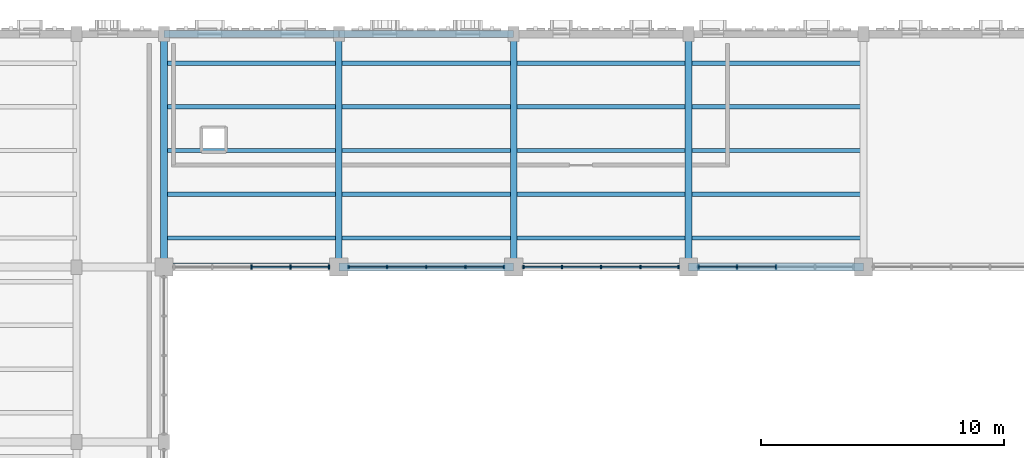
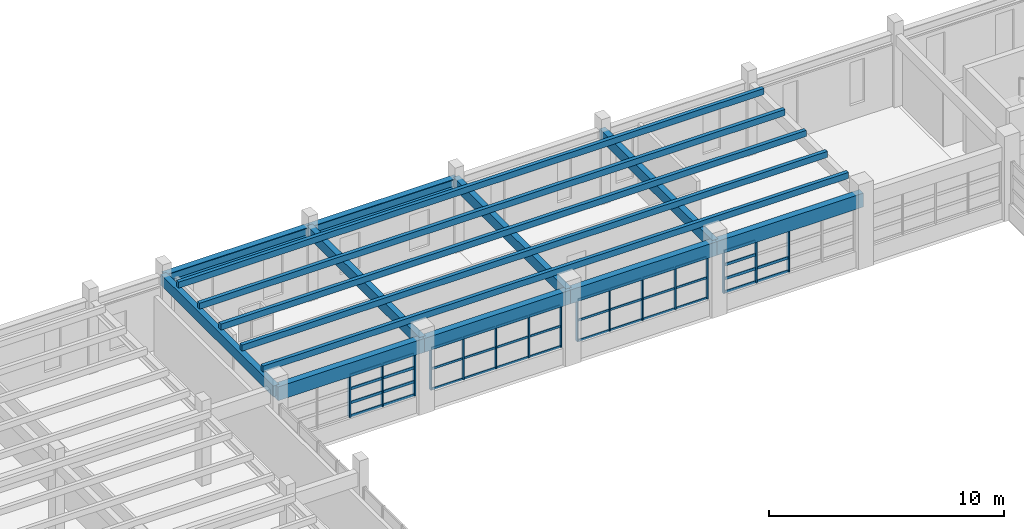
# One storey, part 17 of 69: 59 members, 10 beams, 4 elements without a shape of their own.
"""IFC4 building model written with IfcOpenShell, lengths in metres."""

from ifc_helpers import new_model, si_unit, direction, frame, origin, origin_2d, place, context, subcontext, project, spatial, rectangle, i_section, extrude, material, material_profile, profile_set, type_object, element, aggregate, save


model = new_model("IFC4")

# Units and contexts
model_context = context("Model", 3, precision=1e-05, world=origin(), true_north=direction((0.0, 1.0)))
body_context = subcontext(model_context, "Body", "Model", "MODEL_VIEW")
ifc_project = project(units=[si_unit("LENGTHUNIT", "METRE"), si_unit("AREAUNIT", "SQUARE_METRE"), si_unit("VOLUMEUNIT", "CUBIC_METRE"), si_unit("PLANEANGLEUNIT", "RADIAN"), si_unit("MASSUNIT", "GRAM", prefix="KILO")], contexts=[model_context])

# Site, building, storey
site_placement = place(None, origin())
site = spatial("IfcSite", under=ifc_project, at=site_placement, CompositionType="ELEMENT")
building_placement = place(site_placement, origin())
building = spatial("IfcBuilding", under=site, at=building_placement, Name="Nzembalo Square Collegiate School", CompositionType="ELEMENT")
storey_placement = place(building_placement, frame((0.0, 0.0, 5.10009765625)))
storey = spatial("IfcBuildingStorey", under=building, at=storey_placement, Name="L01", CompositionType="ELEMENT", Elevation=5.10009765625)

# Beams
ifc_material_1 = material(Name="Glulam GL32h", Category="wood")
ifc_material_profile_1 = material_profile(ifc_material_1, rectangle(XDim=0.320068359375, YDim=0.719970703125, at=origin_2d()), Name="GL32h 320x720")
ifc_profile_set_1 = profile_set([ifc_material_profile_1], Name="Glulam GL32h")
beam_type_1 = type_object("IfcBeamType", Name="B03", PredefinedType="BEAM", material=ifc_profile_set_1)
for number, where, z_axis, x_axis, name in (
    (1, (40.800048828125, 104.39990234375, 3.389892578125), (1.0, 0.0, 0.0), (0.0, 1.0, 0.0), "Beam B03 L01"),
    (2, (48.0, 104.39990234375, 3.389892578125), (1.0, 0.0, 0.0), (0.0, 1.0, 0.0), "Beam B03 L01"),
    (3, (55.199951171875, 104.39990234375, 3.389892578125), (1.0, 0.0, 0.0), (0.0, 1.0, 0.0), "Beam B03 L01"),
):
    element("IfcBeam", number, at=place(storey_placement, frame(where, z_axis=z_axis, x_axis=x_axis)), inside=storey, type_object=beam_type_1, Name=name, PredefinedType="BEAM", context=body_context, shape_type="SweptSolid", body=[
        extrude(rectangle(XDim=0.320068359375, YDim=0.719970703125, at=origin_2d()), origin(), (0.0, 0.0, 1.0), 7.199951171875),
    ])
beam_placement = place(storey_placement, frame((62.39990234375, 104.39990234375, 3.389892578125), z_axis=(1.0, 0.0, 0.0), x_axis=(0.0, 1.0, 0.0)))
element("IfcBeam", 4, at=beam_placement, inside=storey, type_object=beam_type_1, Name="Beam B03 L01", PredefinedType="BEAM", context=body_context, shape_type="SweptSolid", body=[
    extrude(rectangle(XDim=0.320068359375, YDim=0.719970703125, at=origin_2d()), origin(), (0.0, 0.0, 1.0), 7.2001953125),
])
ifc_material_2 = material(Name="Glulam GL28h", Category="wood")
ifc_material_profile_2 = material_profile(ifc_material_2, rectangle(XDim=0.280029296875, YDim=0.56005859375, at=origin_2d()), Name="GL28h 280x560")
ifc_profile_set_2 = profile_set([ifc_material_profile_2], Name="Glulam GL28h")
beam_type_2 = type_object("IfcBeamType", Name="B05", PredefinedType="BEAM", material=ifc_profile_set_2)
for number, where, z_axis, x_axis, name in (
    (5, (40.800048828125, 104.39990234375, 3.469970703125), (0.0, 1.0, 0.0), (-1.0, 0.0, 0.0), "Beam B05 L01"),
    (6, (48.0, 104.39990234375, 3.469970703125), (0.0, 1.0, 0.0), (-1.0, 0.0, 0.0), "Beam B05 L01"),
    (7, (55.199951171875, 104.39990234375, 3.469970703125), (0.0, 1.0, 0.0), (-1.0, 0.0, 0.0), "Beam B05 L01"),
    (8, (62.39990234375, 104.39990234375, 3.469970703125), (0.0, 1.0, 0.0), (-1.0, 0.0, 0.0), "Beam B05 L01"),
):
    element("IfcBeam", number, at=place(storey_placement, frame(where, z_axis=z_axis, x_axis=x_axis)), inside=storey, type_object=beam_type_2, Name=name, PredefinedType="BEAM", context=body_context, shape_type="SweptSolid", body=[
        extrude(rectangle(XDim=0.280029296875, YDim=0.56005859375, at=origin_2d()), origin(), (0.0, 0.0, 1.0), 9.60009765625),
    ])
ifc_material_3 = material(Name="Steel S355", Category="steel")
ifc_material_profile_3 = material_profile(ifc_material_3, i_section(OverallWidth=0.300048828125, OverallDepth=0.5, WebThickness=0.014404296875, FlangeThickness=0.028076171875, at=origin_2d()), Name="HEB 500")
ifc_profile_set_3 = profile_set([ifc_material_profile_3], Name="Steel S355")
beam_type_3 = type_object("IfcBeamType", Name="B07", PredefinedType="BEAM", material=ifc_profile_set_3)
for number, where, z_axis, x_axis, name in (
    (9, (40.800048828125, 114.0, 3.5), (1.0, 0.0, 0.0), (0.0, 1.0, 0.0), "Beam B07 L01"),
    (10, (48.0, 114.0, 3.5), (1.0, 0.0, 0.0), (0.0, 1.0, 0.0), "Beam B07 L01"),
):
    element("IfcBeam", number, at=place(storey_placement, frame(where, z_axis=z_axis, x_axis=x_axis)), inside=storey, type_object=beam_type_3, Name=name, PredefinedType="BEAM", context=body_context, shape_type="SweptSolid", body=[
        extrude(i_section(OverallWidth=0.300048828125, OverallDepth=0.5, WebThickness=0.014404296875, FlangeThickness=0.028076171875, at=origin_2d()), origin(), (0.0, 0.0, 1.0), 7.199951171875),
    ])

# Curtain wall, members
ifc_material_4 = material(Name="Aluminium 6060-T66", Category="aluminium")
curtain_wall_type_1 = type_object("IfcCurtainWallType", Name="CW-06", PredefinedType="USERDEFINED", material=ifc_material_4)
curtain_wall_1_placement = place(storey_placement, origin())
curtain_wall_1 = element("IfcCurtainWall", 11, at=curtain_wall_1_placement, inside=storey, type_object=curtain_wall_type_1, Name="Curtain wall CW-06 cw:L01:085", ObjectType="LANCET", PredefinedType="USERDEFINED")
ifc_material_5 = material(Name="Aluminium 6060-T66", Category="aluminium")
ifc_material_profile_4 = material_profile(ifc_material_5, rectangle(XDim=0.06005859375, YDim=0.179931640625, at=origin_2d()), Name="ALU M60x180")
ifc_profile_set_4 = profile_set([ifc_material_profile_4], Name="Aluminium 6060-T66")
member_type_1 = type_object("IfcMemberType", Name="ML01", PredefinedType="MULLION", material=ifc_profile_set_4)
member_1_placement = place(storey_placement, frame((44.39990234375, 104.39990234375, 0.849853515625), z_axis=(0.0, 0.0, 1.0), x_axis=(1.0, 0.0, 0.0)))
member_1 = element("IfcMember", 12, at=member_1_placement, type_object=member_type_1, Name="ML01 mullion 3", PredefinedType="MULLION", context=body_context, shape_type="SweptSolid", body=[
    extrude(rectangle(XDim=0.06005859375, YDim=0.179931640625, at=origin_2d()), origin(), (0.0, 0.0, 1.0), 2.174072265625),
])
member_2_placement = place(storey_placement, frame((46.011474609375, 104.39990234375, 0.849853515625), z_axis=(0.0, 0.0, 1.0), x_axis=(1.0, 0.0, 0.0)))
member_2 = element("IfcMember", 13, at=member_2_placement, type_object=member_type_1, Name="ML01 mullion 4", PredefinedType="MULLION", context=body_context, shape_type="SweptSolid", body=[
    extrude(rectangle(XDim=0.06005859375, YDim=0.179931640625, at=origin_2d()), origin(), (0.0, 0.0, 1.0), 2.174072265625),
])
member_3_placement = place(storey_placement, frame((47.593017578125, 104.39990234375, 0.849853515625), z_axis=(0.0, 0.0, 1.0), x_axis=(1.0, 0.0, 0.0)))
member_3 = element("IfcMember", 14, at=member_3_placement, type_object=member_type_1, Name="ML01 mullion 5", PredefinedType="MULLION", context=body_context, shape_type="SweptSolid", body=[
    extrude(rectangle(XDim=0.06005859375, YDim=0.179931640625, at=origin_2d()), origin(), (0.0, 0.0, 1.0), 2.174072265625),
])

ifc_material_6 = material(Name="Aluminium 6060-T66", Category="aluminium")
curtain_wall_type_2 = type_object("IfcCurtainWallType", Name="CW-01", PredefinedType="USERDEFINED", material=ifc_material_6)
curtain_wall_2_placement = place(storey_placement, origin())
curtain_wall_2 = element("IfcCurtainWall", 15, at=curtain_wall_2_placement, inside=storey, type_object=curtain_wall_type_2, Name="Curtain wall CW-01 cw:L01:088", ObjectType="UNITISED", PredefinedType="USERDEFINED")
member_4_placement = place(storey_placement, frame((62.806884765625, 104.39990234375, 0.849853515625), z_axis=(0.0, 0.0, 1.0), x_axis=(1.0, 0.0, 0.0)))
member_4 = element("IfcMember", 16, at=member_4_placement, type_object=member_type_1, Name="ML01 mullion 1", PredefinedType="MULLION", context=body_context, shape_type="SweptSolid", body=[
    extrude(rectangle(XDim=0.06005859375, YDim=0.179931640625, at=origin_2d()), origin(), (0.0, 0.0, 1.0), 2.174072265625),
])
member_5_placement = place(storey_placement, frame((64.388427734375, 104.39990234375, 0.849853515625), z_axis=(0.0, 0.0, 1.0), x_axis=(1.0, 0.0, 0.0)))
member_5 = element("IfcMember", 17, at=member_5_placement, type_object=member_type_1, Name="ML01 mullion 2", PredefinedType="MULLION", context=body_context, shape_type="SweptSolid", body=[
    extrude(rectangle(XDim=0.06005859375, YDim=0.179931640625, at=origin_2d()), origin(), (0.0, 0.0, 1.0), 2.174072265625),
])
member_6_placement = place(storey_placement, frame((66.0, 104.39990234375, 0.849853515625), z_axis=(0.0, 0.0, 1.0), x_axis=(1.0, 0.0, 0.0)))
member_6 = element("IfcMember", 18, at=member_6_placement, type_object=member_type_1, Name="ML01 mullion 3", PredefinedType="MULLION", context=body_context, shape_type="SweptSolid", body=[
    extrude(rectangle(XDim=0.06005859375, YDim=0.179931640625, at=origin_2d()), origin(), (0.0, 0.0, 1.0), 2.174072265625),
])

ifc_material_7 = material(Name="Aluminium 6060-T66", Category="aluminium")
curtain_wall_type_3 = type_object("IfcCurtainWallType", Name="CW-07", PredefinedType="USERDEFINED", material=ifc_material_7)
curtain_wall_3_placement = place(storey_placement, origin())
curtain_wall_3 = element("IfcCurtainWall", 19, at=curtain_wall_3_placement, inside=storey, type_object=curtain_wall_type_3, Name="Curtain wall CW-07 cw:L01:086", ObjectType="LANCET", PredefinedType="USERDEFINED")
ifc_material_8 = material(Name="Aluminium 6060-T66", Category="aluminium")
ifc_material_profile_5 = material_profile(ifc_material_8, rectangle(XDim=0.06005859375, YDim=0.14990234375, at=origin_2d()), Name="ALU M60x150")
ifc_profile_set_5 = profile_set([ifc_material_profile_5], Name="Aluminium 6060-T66")
member_type_2 = type_object("IfcMemberType", Name="ML02", PredefinedType="MULLION", material=ifc_profile_set_5)
member_7_placement = place(storey_placement, frame((48.406982421875, 104.39990234375, 0.849853515625), z_axis=(0.0, 0.0, 1.0), x_axis=(1.0, 0.0, 0.0)))
member_7 = element("IfcMember", 20, at=member_7_placement, type_object=member_type_2, Name="ML02 mullion 1", PredefinedType="MULLION", context=body_context, shape_type="SweptSolid", body=[
    extrude(rectangle(XDim=0.06005859375, YDim=0.14990234375, at=origin_2d()), origin(), (0.0, 0.0, 1.0), 2.174072265625),
])
member_8_placement = place(storey_placement, frame((49.988525390625, 104.39990234375, 0.849853515625), z_axis=(0.0, 0.0, 1.0), x_axis=(1.0, 0.0, 0.0)))
member_8 = element("IfcMember", 21, at=member_8_placement, type_object=member_type_2, Name="ML02 mullion 2", PredefinedType="MULLION", context=body_context, shape_type="SweptSolid", body=[
    extrude(rectangle(XDim=0.06005859375, YDim=0.14990234375, at=origin_2d()), origin(), (0.0, 0.0, 1.0), 2.174072265625),
])
member_9_placement = place(storey_placement, frame((51.60009765625, 104.39990234375, 0.849853515625), z_axis=(0.0, 0.0, 1.0), x_axis=(1.0, 0.0, 0.0)))
member_9 = element("IfcMember", 22, at=member_9_placement, type_object=member_type_2, Name="ML02 mullion 3", PredefinedType="MULLION", context=body_context, shape_type="SweptSolid", body=[
    extrude(rectangle(XDim=0.06005859375, YDim=0.14990234375, at=origin_2d()), origin(), (0.0, 0.0, 1.0), 2.174072265625),
])
member_10_placement = place(storey_placement, frame((53.21142578125, 104.39990234375, 0.849853515625), z_axis=(0.0, 0.0, 1.0), x_axis=(1.0, 0.0, 0.0)))
member_10 = element("IfcMember", 23, at=member_10_placement, type_object=member_type_2, Name="ML02 mullion 4", PredefinedType="MULLION", context=body_context, shape_type="SweptSolid", body=[
    extrude(rectangle(XDim=0.06005859375, YDim=0.14990234375, at=origin_2d()), origin(), (0.0, 0.0, 1.0), 2.174072265625),
])
member_11_placement = place(storey_placement, frame((54.79296875, 104.39990234375, 0.849853515625), z_axis=(0.0, 0.0, 1.0), x_axis=(1.0, 0.0, 0.0)))
member_11 = element("IfcMember", 24, at=member_11_placement, type_object=member_type_2, Name="ML02 mullion 5", PredefinedType="MULLION", context=body_context, shape_type="SweptSolid", body=[
    extrude(rectangle(XDim=0.06005859375, YDim=0.14990234375, at=origin_2d()), origin(), (0.0, 0.0, 1.0), 2.174072265625),
])

ifc_material_9 = material(Name="Aluminium 6060-T66", Category="aluminium")
curtain_wall_type_4 = type_object("IfcCurtainWallType", Name="CW-08", PredefinedType="USERDEFINED", material=ifc_material_9)
curtain_wall_4_placement = place(storey_placement, origin())
curtain_wall_4 = element("IfcCurtainWall", 25, at=curtain_wall_4_placement, inside=storey, type_object=curtain_wall_type_4, Name="Curtain wall CW-08 cw:L01:087", ObjectType="LANCET", PredefinedType="USERDEFINED")
member_12_placement = place(storey_placement, frame((55.60693359375, 104.39990234375, 0.849853515625), z_axis=(0.0, 0.0, 1.0), x_axis=(1.0, 0.0, 0.0)))
member_12 = element("IfcMember", 26, at=member_12_placement, type_object=member_type_2, Name="ML02 mullion 1", PredefinedType="MULLION", context=body_context, shape_type="SweptSolid", body=[
    extrude(rectangle(XDim=0.06005859375, YDim=0.14990234375, at=origin_2d()), origin(), (0.0, 0.0, 1.0), 2.174072265625),
])
member_13_placement = place(storey_placement, frame((57.1884765625, 104.39990234375, 0.849853515625), z_axis=(0.0, 0.0, 1.0), x_axis=(1.0, 0.0, 0.0)))
member_13 = element("IfcMember", 27, at=member_13_placement, type_object=member_type_2, Name="ML02 mullion 2", PredefinedType="MULLION", context=body_context, shape_type="SweptSolid", body=[
    extrude(rectangle(XDim=0.06005859375, YDim=0.14990234375, at=origin_2d()), origin(), (0.0, 0.0, 1.0), 2.174072265625),
])
member_14_placement = place(storey_placement, frame((58.800048828125, 104.39990234375, 0.849853515625), z_axis=(0.0, 0.0, 1.0), x_axis=(1.0, 0.0, 0.0)))
member_14 = element("IfcMember", 28, at=member_14_placement, type_object=member_type_2, Name="ML02 mullion 3", PredefinedType="MULLION", context=body_context, shape_type="SweptSolid", body=[
    extrude(rectangle(XDim=0.06005859375, YDim=0.14990234375, at=origin_2d()), origin(), (0.0, 0.0, 1.0), 2.174072265625),
])
member_15_placement = place(storey_placement, frame((60.41162109375, 104.39990234375, 0.849853515625), z_axis=(0.0, 0.0, 1.0), x_axis=(1.0, 0.0, 0.0)))
member_15 = element("IfcMember", 29, at=member_15_placement, type_object=member_type_2, Name="ML02 mullion 4", PredefinedType="MULLION", context=body_context, shape_type="SweptSolid", body=[
    extrude(rectangle(XDim=0.06005859375, YDim=0.14990234375, at=origin_2d()), origin(), (0.0, 0.0, 1.0), 2.174072265625),
])
member_16_placement = place(storey_placement, frame((61.992919921875, 104.39990234375, 0.849853515625), z_axis=(0.0, 0.0, 1.0), x_axis=(1.0, 0.0, 0.0)))
member_16 = element("IfcMember", 30, at=member_16_placement, type_object=member_type_2, Name="ML02 mullion 5", PredefinedType="MULLION", context=body_context, shape_type="SweptSolid", body=[
    extrude(rectangle(XDim=0.06005859375, YDim=0.14990234375, at=origin_2d()), origin(), (0.0, 0.0, 1.0), 2.174072265625),
])

# Member
ifc_material_10 = material(Name="Aluminium 6060-T66", Category="aluminium")
ifc_material_profile_6 = material_profile(ifc_material_10, rectangle(XDim=0.06005859375, YDim=0.139892578125, at=origin_2d()), Name="ALU T60x140")
ifc_profile_set_6 = profile_set([ifc_material_profile_6], Name="Aluminium 6060-T66")
member_type_3 = type_object("IfcMemberType", Name="TR01", PredefinedType="USERDEFINED", material=ifc_profile_set_6)
member_17_placement = place(storey_placement, frame((44.429931640625, 104.39990234375, 0.8798828125), z_axis=(1.0, 0.0, 0.0), x_axis=(0.0, 1.0, 0.0)))
member_17 = element("IfcMember", 31, at=member_17_placement, type_object=member_type_3, Name="TR01 transom 1-3", ObjectType="TRANSOM", PredefinedType="USERDEFINED", context=body_context, shape_type="SweptSolid", body=[
    extrude(rectangle(XDim=0.06005859375, YDim=0.139892578125, at=origin_2d()), origin(), (0.0, 0.0, 1.0), 1.551513671875),
])

member_18_placement = place(storey_placement, frame((46.04150390625, 104.39990234375, 0.8798828125), z_axis=(1.0, 0.0, 0.0), x_axis=(0.0, 1.0, 0.0)))
member_18 = element("IfcMember", 32, at=member_18_placement, type_object=member_type_3, Name="TR01 transom 1-4", ObjectType="TRANSOM", PredefinedType="USERDEFINED", context=body_context, shape_type="SweptSolid", body=[
    extrude(rectangle(XDim=0.06005859375, YDim=0.139892578125, at=origin_2d()), origin(), (0.0, 0.0, 1.0), 1.521484375),
])

member_19_placement = place(storey_placement, frame((44.429931640625, 104.39990234375, 1.574462890625), z_axis=(1.0, 0.0, 0.0), x_axis=(0.0, 1.0, 0.0)))
member_19 = element("IfcMember", 33, at=member_19_placement, type_object=member_type_3, Name="TR01 transom 2-3", ObjectType="TRANSOM", PredefinedType="USERDEFINED", context=body_context, shape_type="SweptSolid", body=[
    extrude(rectangle(XDim=0.06005859375, YDim=0.139892578125, at=origin_2d()), origin(), (0.0, 0.0, 1.0), 1.551513671875),
])

member_20_placement = place(storey_placement, frame((46.04150390625, 104.39990234375, 1.574462890625), z_axis=(1.0, 0.0, 0.0), x_axis=(0.0, 1.0, 0.0)))
member_20 = element("IfcMember", 34, at=member_20_placement, type_object=member_type_3, Name="TR01 transom 2-4", ObjectType="TRANSOM", PredefinedType="USERDEFINED", context=body_context, shape_type="SweptSolid", body=[
    extrude(rectangle(XDim=0.06005859375, YDim=0.139892578125, at=origin_2d()), origin(), (0.0, 0.0, 1.0), 1.521484375),
])

member_21_placement = place(storey_placement, frame((44.429931640625, 104.39990234375, 2.29931640625), z_axis=(1.0, 0.0, 0.0), x_axis=(0.0, 1.0, 0.0)))
member_21 = element("IfcMember", 35, at=member_21_placement, type_object=member_type_3, Name="TR01 transom 3-3", ObjectType="TRANSOM", PredefinedType="USERDEFINED", context=body_context, shape_type="SweptSolid", body=[
    extrude(rectangle(XDim=0.06005859375, YDim=0.139892578125, at=origin_2d()), origin(), (0.0, 0.0, 1.0), 1.551513671875),
])

member_22_placement = place(storey_placement, frame((46.04150390625, 104.39990234375, 2.29931640625), z_axis=(1.0, 0.0, 0.0), x_axis=(0.0, 1.0, 0.0)))
member_22 = element("IfcMember", 36, at=member_22_placement, type_object=member_type_3, Name="TR01 transom 3-4", ObjectType="TRANSOM", PredefinedType="USERDEFINED", context=body_context, shape_type="SweptSolid", body=[
    extrude(rectangle(XDim=0.06005859375, YDim=0.139892578125, at=origin_2d()), origin(), (0.0, 0.0, 1.0), 1.521484375),
])

member_23_placement = place(storey_placement, frame((44.429931640625, 104.39990234375, 2.993896484375), z_axis=(1.0, 0.0, 0.0), x_axis=(0.0, 1.0, 0.0)))
member_23 = element("IfcMember", 37, at=member_23_placement, type_object=member_type_3, Name="TR01 transom 4-3", ObjectType="TRANSOM", PredefinedType="USERDEFINED", context=body_context, shape_type="SweptSolid", body=[
    extrude(rectangle(XDim=0.06005859375, YDim=0.139892578125, at=origin_2d()), origin(), (0.0, 0.0, 1.0), 1.551513671875),
])

member_24_placement = place(storey_placement, frame((46.04150390625, 104.39990234375, 2.993896484375), z_axis=(1.0, 0.0, 0.0), x_axis=(0.0, 1.0, 0.0)))
member_24 = element("IfcMember", 38, at=member_24_placement, type_object=member_type_3, Name="TR01 transom 4-4", ObjectType="TRANSOM", PredefinedType="USERDEFINED", context=body_context, shape_type="SweptSolid", body=[
    extrude(rectangle(XDim=0.06005859375, YDim=0.139892578125, at=origin_2d()), origin(), (0.0, 0.0, 1.0), 1.521484375),
])

aggregate(curtain_wall_1, [member_1, member_2, member_3, member_17, member_18, member_19, member_20, member_21, member_22, member_23, member_24])

member_25_placement = place(storey_placement, frame((62.8369140625, 104.39990234375, 0.8798828125), z_axis=(1.0, 0.0, 0.0), x_axis=(0.0, 1.0, 0.0)))
member_25 = element("IfcMember", 39, at=member_25_placement, type_object=member_type_3, Name="TR01 transom 1-1", ObjectType="TRANSOM", PredefinedType="USERDEFINED", context=body_context, shape_type="SweptSolid", body=[
    extrude(rectangle(XDim=0.06005859375, YDim=0.139892578125, at=origin_2d()), origin(), (0.0, 0.0, 1.0), 1.521484375),
])

member_26_placement = place(storey_placement, frame((64.41845703125, 104.39990234375, 0.8798828125), z_axis=(1.0, 0.0, 0.0), x_axis=(0.0, 1.0, 0.0)))
member_26 = element("IfcMember", 40, at=member_26_placement, type_object=member_type_3, Name="TR01 transom 1-2", ObjectType="TRANSOM", PredefinedType="USERDEFINED", context=body_context, shape_type="SweptSolid", body=[
    extrude(rectangle(XDim=0.06005859375, YDim=0.139892578125, at=origin_2d()), origin(), (0.0, 0.0, 1.0), 1.551513671875),
])

member_27_placement = place(storey_placement, frame((62.8369140625, 104.39990234375, 1.574462890625), z_axis=(1.0, 0.0, 0.0), x_axis=(0.0, 1.0, 0.0)))
member_27 = element("IfcMember", 41, at=member_27_placement, type_object=member_type_3, Name="TR01 transom 2-1", ObjectType="TRANSOM", PredefinedType="USERDEFINED", context=body_context, shape_type="SweptSolid", body=[
    extrude(rectangle(XDim=0.06005859375, YDim=0.139892578125, at=origin_2d()), origin(), (0.0, 0.0, 1.0), 1.521484375),
])

member_28_placement = place(storey_placement, frame((64.41845703125, 104.39990234375, 1.574462890625), z_axis=(1.0, 0.0, 0.0), x_axis=(0.0, 1.0, 0.0)))
member_28 = element("IfcMember", 42, at=member_28_placement, type_object=member_type_3, Name="TR01 transom 2-2", ObjectType="TRANSOM", PredefinedType="USERDEFINED", context=body_context, shape_type="SweptSolid", body=[
    extrude(rectangle(XDim=0.06005859375, YDim=0.139892578125, at=origin_2d()), origin(), (0.0, 0.0, 1.0), 1.551513671875),
])

member_29_placement = place(storey_placement, frame((62.8369140625, 104.39990234375, 2.29931640625), z_axis=(1.0, 0.0, 0.0), x_axis=(0.0, 1.0, 0.0)))
member_29 = element("IfcMember", 43, at=member_29_placement, type_object=member_type_3, Name="TR01 transom 3-1", ObjectType="TRANSOM", PredefinedType="USERDEFINED", context=body_context, shape_type="SweptSolid", body=[
    extrude(rectangle(XDim=0.06005859375, YDim=0.139892578125, at=origin_2d()), origin(), (0.0, 0.0, 1.0), 1.521484375),
])

member_30_placement = place(storey_placement, frame((62.8369140625, 104.39990234375, 2.993896484375), z_axis=(1.0, 0.0, 0.0), x_axis=(0.0, 1.0, 0.0)))
member_30 = element("IfcMember", 44, at=member_30_placement, type_object=member_type_3, Name="TR01 transom 4-1", ObjectType="TRANSOM", PredefinedType="USERDEFINED", context=body_context, shape_type="SweptSolid", body=[
    extrude(rectangle(XDim=0.06005859375, YDim=0.139892578125, at=origin_2d()), origin(), (0.0, 0.0, 1.0), 1.521484375),
])

aggregate(curtain_wall_2, [member_4, member_5, member_6, member_25, member_26, member_27, member_28, member_29, member_30])

ifc_material_11 = material(Name="Aluminium 6060-T66", Category="aluminium")
ifc_material_profile_7 = material_profile(ifc_material_11, rectangle(XDim=0.06005859375, YDim=0.110107421875, at=origin_2d()), Name="ALU T60x110")
ifc_profile_set_7 = profile_set([ifc_material_profile_7], Name="Aluminium 6060-T66")
member_type_4 = type_object("IfcMemberType", Name="TR02", PredefinedType="USERDEFINED", material=ifc_profile_set_7)
member_31_placement = place(storey_placement, frame((48.43701171875, 104.39990234375, 0.8798828125), z_axis=(1.0, 0.0, 0.0), x_axis=(0.0, 1.0, 0.0)))
member_31 = element("IfcMember", 45, at=member_31_placement, type_object=member_type_4, Name="TR02 transom 1-1", ObjectType="TRANSOM", PredefinedType="USERDEFINED", context=body_context, shape_type="SweptSolid", body=[
    extrude(rectangle(XDim=0.06005859375, YDim=0.110107421875, at=origin_2d()), origin(), (0.0, 0.0, 1.0), 1.521484375),
])

member_32_placement = place(storey_placement, frame((50.0185546875, 104.39990234375, 0.8798828125), z_axis=(1.0, 0.0, 0.0), x_axis=(0.0, 1.0, 0.0)))
member_32 = element("IfcMember", 46, at=member_32_placement, type_object=member_type_4, Name="TR02 transom 1-2", ObjectType="TRANSOM", PredefinedType="USERDEFINED", context=body_context, shape_type="SweptSolid", body=[
    extrude(rectangle(XDim=0.06005859375, YDim=0.110107421875, at=origin_2d()), origin(), (0.0, 0.0, 1.0), 1.551513671875),
])

member_33_placement = place(storey_placement, frame((51.6298828125, 104.39990234375, 0.8798828125), z_axis=(1.0, 0.0, 0.0), x_axis=(0.0, 1.0, 0.0)))
member_33 = element("IfcMember", 47, at=member_33_placement, type_object=member_type_4, Name="TR02 transom 1-3", ObjectType="TRANSOM", PredefinedType="USERDEFINED", context=body_context, shape_type="SweptSolid", body=[
    extrude(rectangle(XDim=0.06005859375, YDim=0.110107421875, at=origin_2d()), origin(), (0.0, 0.0, 1.0), 1.551513671875),
])

member_34_placement = place(storey_placement, frame((53.241455078125, 104.39990234375, 0.8798828125), z_axis=(1.0, 0.0, 0.0), x_axis=(0.0, 1.0, 0.0)))
member_34 = element("IfcMember", 48, at=member_34_placement, type_object=member_type_4, Name="TR02 transom 1-4", ObjectType="TRANSOM", PredefinedType="USERDEFINED", context=body_context, shape_type="SweptSolid", body=[
    extrude(rectangle(XDim=0.06005859375, YDim=0.110107421875, at=origin_2d()), origin(), (0.0, 0.0, 1.0), 1.521484375),
])

member_35_placement = place(storey_placement, frame((48.43701171875, 104.39990234375, 1.93701171875), z_axis=(1.0, 0.0, 0.0), x_axis=(0.0, 1.0, 0.0)))
member_35 = element("IfcMember", 49, at=member_35_placement, type_object=member_type_4, Name="TR02 transom 2-1", ObjectType="TRANSOM", PredefinedType="USERDEFINED", context=body_context, shape_type="SweptSolid", body=[
    extrude(rectangle(XDim=0.06005859375, YDim=0.110107421875, at=origin_2d()), origin(), (0.0, 0.0, 1.0), 1.521484375),
])

member_36_placement = place(storey_placement, frame((50.0185546875, 104.39990234375, 1.93701171875), z_axis=(1.0, 0.0, 0.0), x_axis=(0.0, 1.0, 0.0)))
member_36 = element("IfcMember", 50, at=member_36_placement, type_object=member_type_4, Name="TR02 transom 2-2", ObjectType="TRANSOM", PredefinedType="USERDEFINED", context=body_context, shape_type="SweptSolid", body=[
    extrude(rectangle(XDim=0.06005859375, YDim=0.110107421875, at=origin_2d()), origin(), (0.0, 0.0, 1.0), 1.551513671875),
])

member_37_placement = place(storey_placement, frame((51.6298828125, 104.39990234375, 1.93701171875), z_axis=(1.0, 0.0, 0.0), x_axis=(0.0, 1.0, 0.0)))
member_37 = element("IfcMember", 51, at=member_37_placement, type_object=member_type_4, Name="TR02 transom 2-3", ObjectType="TRANSOM", PredefinedType="USERDEFINED", context=body_context, shape_type="SweptSolid", body=[
    extrude(rectangle(XDim=0.06005859375, YDim=0.110107421875, at=origin_2d()), origin(), (0.0, 0.0, 1.0), 1.551513671875),
])

member_38_placement = place(storey_placement, frame((53.241455078125, 104.39990234375, 1.93701171875), z_axis=(1.0, 0.0, 0.0), x_axis=(0.0, 1.0, 0.0)))
member_38 = element("IfcMember", 52, at=member_38_placement, type_object=member_type_4, Name="TR02 transom 2-4", ObjectType="TRANSOM", PredefinedType="USERDEFINED", context=body_context, shape_type="SweptSolid", body=[
    extrude(rectangle(XDim=0.06005859375, YDim=0.110107421875, at=origin_2d()), origin(), (0.0, 0.0, 1.0), 1.521484375),
])

member_39_placement = place(storey_placement, frame((48.43701171875, 104.39990234375, 2.993896484375), z_axis=(1.0, 0.0, 0.0), x_axis=(0.0, 1.0, 0.0)))
member_39 = element("IfcMember", 53, at=member_39_placement, type_object=member_type_4, Name="TR02 transom 3-1", ObjectType="TRANSOM", PredefinedType="USERDEFINED", context=body_context, shape_type="SweptSolid", body=[
    extrude(rectangle(XDim=0.06005859375, YDim=0.110107421875, at=origin_2d()), origin(), (0.0, 0.0, 1.0), 1.521484375),
])

member_40_placement = place(storey_placement, frame((50.0185546875, 104.39990234375, 2.993896484375), z_axis=(1.0, 0.0, 0.0), x_axis=(0.0, 1.0, 0.0)))
member_40 = element("IfcMember", 54, at=member_40_placement, type_object=member_type_4, Name="TR02 transom 3-2", ObjectType="TRANSOM", PredefinedType="USERDEFINED", context=body_context, shape_type="SweptSolid", body=[
    extrude(rectangle(XDim=0.06005859375, YDim=0.110107421875, at=origin_2d()), origin(), (0.0, 0.0, 1.0), 1.551513671875),
])

member_41_placement = place(storey_placement, frame((51.6298828125, 104.39990234375, 2.993896484375), z_axis=(1.0, 0.0, 0.0), x_axis=(0.0, 1.0, 0.0)))
member_41 = element("IfcMember", 55, at=member_41_placement, type_object=member_type_4, Name="TR02 transom 3-3", ObjectType="TRANSOM", PredefinedType="USERDEFINED", context=body_context, shape_type="SweptSolid", body=[
    extrude(rectangle(XDim=0.06005859375, YDim=0.110107421875, at=origin_2d()), origin(), (0.0, 0.0, 1.0), 1.551513671875),
])

member_42_placement = place(storey_placement, frame((53.241455078125, 104.39990234375, 2.993896484375), z_axis=(1.0, 0.0, 0.0), x_axis=(0.0, 1.0, 0.0)))
member_42 = element("IfcMember", 56, at=member_42_placement, type_object=member_type_4, Name="TR02 transom 3-4", ObjectType="TRANSOM", PredefinedType="USERDEFINED", context=body_context, shape_type="SweptSolid", body=[
    extrude(rectangle(XDim=0.06005859375, YDim=0.110107421875, at=origin_2d()), origin(), (0.0, 0.0, 1.0), 1.521484375),
])

aggregate(curtain_wall_3, [member_7, member_8, member_9, member_10, member_11, member_31, member_32, member_33, member_34, member_35, member_36, member_37, member_38, member_39, member_40, member_41, member_42])

member_43_placement = place(storey_placement, frame((55.636962890625, 104.39990234375, 0.8798828125), z_axis=(1.0, 0.0, 0.0), x_axis=(0.0, 1.0, 0.0)))
member_43 = element("IfcMember", 57, at=member_43_placement, type_object=member_type_4, Name="TR02 transom 1-1", ObjectType="TRANSOM", PredefinedType="USERDEFINED", context=body_context, shape_type="SweptSolid", body=[
    extrude(rectangle(XDim=0.06005859375, YDim=0.110107421875, at=origin_2d()), origin(), (0.0, 0.0, 1.0), 1.521484375),
])

member_44_placement = place(storey_placement, frame((57.218505859375, 104.39990234375, 0.8798828125), z_axis=(1.0, 0.0, 0.0), x_axis=(0.0, 1.0, 0.0)))
member_44 = element("IfcMember", 58, at=member_44_placement, type_object=member_type_4, Name="TR02 transom 1-2", ObjectType="TRANSOM", PredefinedType="USERDEFINED", context=body_context, shape_type="SweptSolid", body=[
    extrude(rectangle(XDim=0.06005859375, YDim=0.110107421875, at=origin_2d()), origin(), (0.0, 0.0, 1.0), 1.551513671875),
])

member_45_placement = place(storey_placement, frame((58.830078125, 104.39990234375, 0.8798828125), z_axis=(1.0, 0.0, 0.0), x_axis=(0.0, 1.0, 0.0)))
member_45 = element("IfcMember", 59, at=member_45_placement, type_object=member_type_4, Name="TR02 transom 1-3", ObjectType="TRANSOM", PredefinedType="USERDEFINED", context=body_context, shape_type="SweptSolid", body=[
    extrude(rectangle(XDim=0.06005859375, YDim=0.110107421875, at=origin_2d()), origin(), (0.0, 0.0, 1.0), 1.551513671875),
])

member_46_placement = place(storey_placement, frame((60.44140625, 104.39990234375, 0.8798828125), z_axis=(1.0, 0.0, 0.0), x_axis=(0.0, 1.0, 0.0)))
member_46 = element("IfcMember", 60, at=member_46_placement, type_object=member_type_4, Name="TR02 transom 1-4", ObjectType="TRANSOM", PredefinedType="USERDEFINED", context=body_context, shape_type="SweptSolid", body=[
    extrude(rectangle(XDim=0.06005859375, YDim=0.110107421875, at=origin_2d()), origin(), (0.0, 0.0, 1.0), 1.521484375),
])

member_47_placement = place(storey_placement, frame((55.636962890625, 104.39990234375, 1.93701171875), z_axis=(1.0, 0.0, 0.0), x_axis=(0.0, 1.0, 0.0)))
member_47 = element("IfcMember", 61, at=member_47_placement, type_object=member_type_4, Name="TR02 transom 2-1", ObjectType="TRANSOM", PredefinedType="USERDEFINED", context=body_context, shape_type="SweptSolid", body=[
    extrude(rectangle(XDim=0.06005859375, YDim=0.110107421875, at=origin_2d()), origin(), (0.0, 0.0, 1.0), 1.521484375),
])

member_48_placement = place(storey_placement, frame((57.218505859375, 104.39990234375, 1.93701171875), z_axis=(1.0, 0.0, 0.0), x_axis=(0.0, 1.0, 0.0)))
member_48 = element("IfcMember", 62, at=member_48_placement, type_object=member_type_4, Name="TR02 transom 2-2", ObjectType="TRANSOM", PredefinedType="USERDEFINED", context=body_context, shape_type="SweptSolid", body=[
    extrude(rectangle(XDim=0.06005859375, YDim=0.110107421875, at=origin_2d()), origin(), (0.0, 0.0, 1.0), 1.551513671875),
])

member_49_placement = place(storey_placement, frame((58.830078125, 104.39990234375, 1.93701171875), z_axis=(1.0, 0.0, 0.0), x_axis=(0.0, 1.0, 0.0)))
member_49 = element("IfcMember", 63, at=member_49_placement, type_object=member_type_4, Name="TR02 transom 2-3", ObjectType="TRANSOM", PredefinedType="USERDEFINED", context=body_context, shape_type="SweptSolid", body=[
    extrude(rectangle(XDim=0.06005859375, YDim=0.110107421875, at=origin_2d()), origin(), (0.0, 0.0, 1.0), 1.551513671875),
])

member_50_placement = place(storey_placement, frame((60.44140625, 104.39990234375, 1.93701171875), z_axis=(1.0, 0.0, 0.0), x_axis=(0.0, 1.0, 0.0)))
member_50 = element("IfcMember", 64, at=member_50_placement, type_object=member_type_4, Name="TR02 transom 2-4", ObjectType="TRANSOM", PredefinedType="USERDEFINED", context=body_context, shape_type="SweptSolid", body=[
    extrude(rectangle(XDim=0.06005859375, YDim=0.110107421875, at=origin_2d()), origin(), (0.0, 0.0, 1.0), 1.521484375),
])

member_51_placement = place(storey_placement, frame((55.636962890625, 104.39990234375, 2.993896484375), z_axis=(1.0, 0.0, 0.0), x_axis=(0.0, 1.0, 0.0)))
member_51 = element("IfcMember", 65, at=member_51_placement, type_object=member_type_4, Name="TR02 transom 3-1", ObjectType="TRANSOM", PredefinedType="USERDEFINED", context=body_context, shape_type="SweptSolid", body=[
    extrude(rectangle(XDim=0.06005859375, YDim=0.110107421875, at=origin_2d()), origin(), (0.0, 0.0, 1.0), 1.521484375),
])

member_52_placement = place(storey_placement, frame((57.218505859375, 104.39990234375, 2.993896484375), z_axis=(1.0, 0.0, 0.0), x_axis=(0.0, 1.0, 0.0)))
member_52 = element("IfcMember", 66, at=member_52_placement, type_object=member_type_4, Name="TR02 transom 3-2", ObjectType="TRANSOM", PredefinedType="USERDEFINED", context=body_context, shape_type="SweptSolid", body=[
    extrude(rectangle(XDim=0.06005859375, YDim=0.110107421875, at=origin_2d()), origin(), (0.0, 0.0, 1.0), 1.551513671875),
])

member_53_placement = place(storey_placement, frame((58.830078125, 104.39990234375, 2.993896484375), z_axis=(1.0, 0.0, 0.0), x_axis=(0.0, 1.0, 0.0)))
member_53 = element("IfcMember", 67, at=member_53_placement, type_object=member_type_4, Name="TR02 transom 3-3", ObjectType="TRANSOM", PredefinedType="USERDEFINED", context=body_context, shape_type="SweptSolid", body=[
    extrude(rectangle(XDim=0.06005859375, YDim=0.110107421875, at=origin_2d()), origin(), (0.0, 0.0, 1.0), 1.551513671875),
])

member_54_placement = place(storey_placement, frame((60.44140625, 104.39990234375, 2.993896484375), z_axis=(1.0, 0.0, 0.0), x_axis=(0.0, 1.0, 0.0)))
member_54 = element("IfcMember", 68, at=member_54_placement, type_object=member_type_4, Name="TR02 transom 3-4", ObjectType="TRANSOM", PredefinedType="USERDEFINED", context=body_context, shape_type="SweptSolid", body=[
    extrude(rectangle(XDim=0.06005859375, YDim=0.110107421875, at=origin_2d()), origin(), (0.0, 0.0, 1.0), 1.521484375),
])

aggregate(curtain_wall_4, [member_12, member_13, member_14, member_15, member_16, member_43, member_44, member_45, member_46, member_47, member_48, member_49, member_50, member_51, member_52, member_53, member_54])

# Members
ifc_material_12 = material(Name="Glulam GL28h", Category="wood")
ifc_material_profile_8 = material_profile(ifc_material_12, rectangle(XDim=0.179931640625, YDim=0.320068359375, at=origin_2d()), Name="GL28h 180x320")
ifc_profile_set_8 = profile_set([ifc_material_profile_8], Name="Glulam GL28h")
member_type_5 = type_object("IfcMemberType", Name="PR01", PredefinedType="PURLIN", material=ifc_profile_set_8)
for number, where, z_axis, x_axis, name in (
    (69, (40.800048828125, 105.60009765625, 3.89990234375), (1.0, 0.0, 0.0), (0.0, 1.0, 0.0), "Planted roof purlin PR01-DA-01"),
    (70, (40.800048828125, 107.39990234375, 3.89990234375), (1.0, 0.0, 0.0), (0.0, 1.0, 0.0), "Planted roof purlin PR01-DA-02"),
    (71, (40.800048828125, 109.199951171875, 3.89990234375), (1.0, 0.0, 0.0), (0.0, 1.0, 0.0), "Planted roof purlin PR01-DA-03"),
    (72, (40.800048828125, 111.0, 3.89990234375), (1.0, 0.0, 0.0), (0.0, 1.0, 0.0), "Planted roof purlin PR01-DA-04"),
    (73, (40.800048828125, 112.800048828125, 3.89990234375), (1.0, 0.0, 0.0), (0.0, 1.0, 0.0), "Planted roof purlin PR01-DA-05"),
):
    element("IfcMember", number, at=place(storey_placement, frame(where, z_axis=z_axis, x_axis=x_axis)), inside=storey, type_object=member_type_5, Name=name, PredefinedType="PURLIN", context=body_context, shape_type="SweptSolid", body=[
        extrude(rectangle(XDim=0.179931640625, YDim=0.320068359375, at=origin_2d()), origin(), (0.0, 0.0, 1.0), 28.800048828125),
    ])

save(model, "model.ifc")
